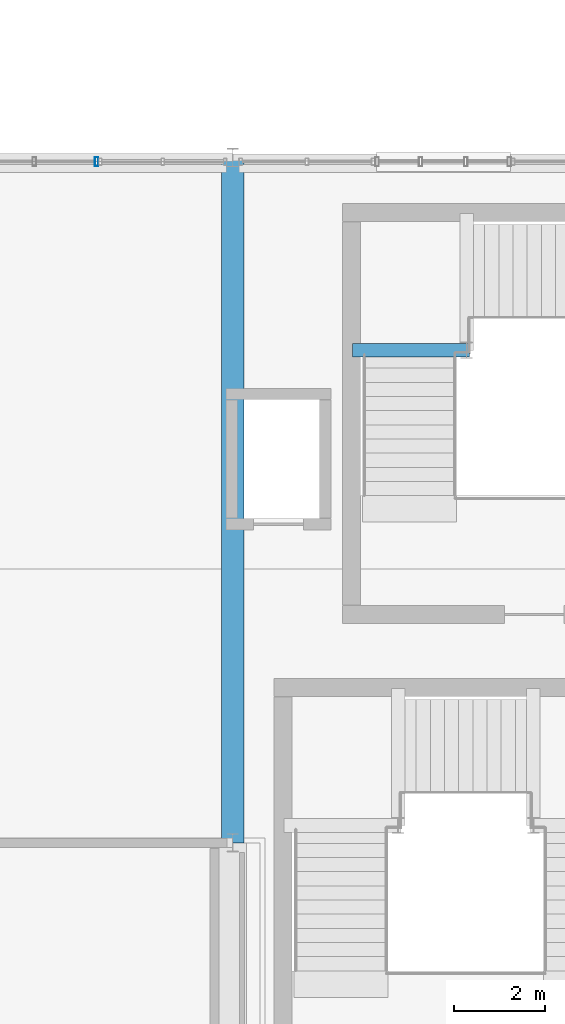
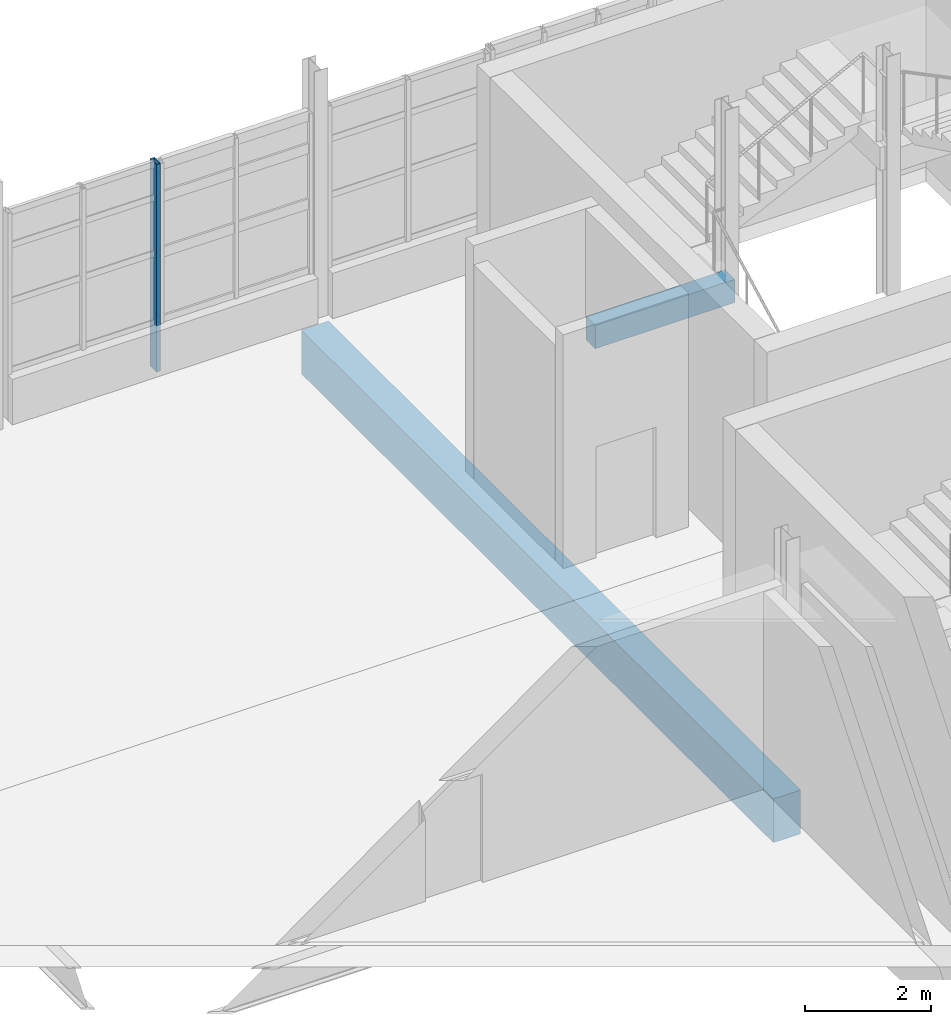
# One storey, part 76 of 127: 2 beams, 1 member, 1 element without a shape of its own.
"""IFC4 building model written with IfcOpenShell, lengths in metres."""

import ifcopenshell
import ifcopenshell.guid

model = None  # the IFC model being written
_history = None  # IfcOwnerHistory: only IFC2X3 demands one
_inside = {}  # id of a spatial element -> (the spatial element, [elements in it])
_under = {}  # id of a project, library or spatial element -> (it, [spatial elements below it])
_declared = {}  # id of a project -> (the project, [libraries it declares])
_typed = {}  # id of a type object -> (the type object, [elements of that type])
_made_of = {}  # id of a material, layer set ... -> (it, [elements and type objects made of it])


def new_model(schema):
    """Start an empty IFC model of exactly this schema.

    Asked for "IFC4X3", IfcOpenShell would pick the latest addendum, in which some entities
    have other attributes; the version numbers below select the first issue.
    IFC2X3 requires an IfcOwnerHistory on every rooted entity: one is made here for all.
    """
    global model, _history
    if schema == "IFC4X3":
        model = ifcopenshell.file(schema_version=(4, 3, 0, 0))
    else:
        model = ifcopenshell.file(schema=schema)
    _inside.clear()
    _under.clear()
    _declared.clear()
    _typed.clear()
    _made_of.clear()
    _history = None
    if model.schema == "IFC2X3":
        org = make("IfcOrganization", Name="unknown")
        user = make(
            "IfcPersonAndOrganization",
            ThePerson=make("IfcPerson", FamilyName="unknown"),
            TheOrganization=org,
        )
        app = make(
            "IfcApplication",
            ApplicationDeveloper=org,
            Version="unknown",
            ApplicationFullName="unknown",
            ApplicationIdentifier="unknown",
        )
        _history = make(
            "IfcOwnerHistory",
            OwningUser=user,
            OwningApplication=app,
            ChangeAction="ADDED",
            CreationDate=0,
        )
    return model


def make(cls, **values):
    """One entity of the class cls with the attributes given. An attribute that is None is left unset."""
    return model.create_entity(
        cls, **{name: value for name, value in values.items() if value is not None}
    )


def rooted(cls, **values):
    """An entity with a GlobalId (a new one), such as an element, a storey or a relation."""
    return make(cls, GlobalId=ifcopenshell.guid.new(), OwnerHistory=_history, **values)


def si_unit(unit_type, name, prefix=None):
    """IfcSIUnit, for example si_unit("LENGTHUNIT", "METRE", prefix="MILLI")."""
    return make("IfcSIUnit", UnitType=unit_type, Prefix=prefix, Name=name)


def derived_unit(unit_type, elements):
    """IfcDerivedUnit: a product of units, each with its exponent."""
    return make(
        "IfcDerivedUnit",
        Elements=[
            make("IfcDerivedUnitElement", Unit=unit, Exponent=power)
            for unit, power in elements
        ],
        UnitType=unit_type,
    )


def assignment(units):
    """IfcUnitAssignment: the units of a project."""
    return None if units is None else make("IfcUnitAssignment", Units=units)


def point(xyz):
    """IfcCartesianPoint."""
    return None if xyz is None else make("IfcCartesianPoint", Coordinates=xyz)


def direction(xyz):
    """IfcDirection."""
    return None if xyz is None else make("IfcDirection", DirectionRatios=xyz)


def frame(location, z_axis=None, x_axis=None):
    """IfcAxis2Placement3D, a coordinate frame: its origin and axes. An axis left out is left unset."""
    return make(
        "IfcAxis2Placement3D",
        Location=point(location),
        Axis=direction(z_axis),
        RefDirection=direction(x_axis),
    )


def frame_2d(location, x_axis=None):
    """IfcAxis2Placement2D, a coordinate frame in the plane: its origin and x axis."""
    return make(
        "IfcAxis2Placement2D", Location=point(location), RefDirection=direction(x_axis)
    )


def origin():
    """The frame at (0, 0, 0) with its axes left unset."""
    return frame((0.0, 0.0, 0.0))


def origin_2d():
    """The frame at (0, 0) in the plane with its x axis left unset."""
    return frame_2d((0.0, 0.0))


def place(relative_to, where):
    """IfcLocalPlacement: puts the frame where relative to a parent placement (None: the world)."""
    return make(
        "IfcLocalPlacement", PlacementRelTo=relative_to, RelativePlacement=where
    )


def context(
    kind, dimensions, precision=None, world=None, true_north=None, identifier=None
):
    """IfcGeometricRepresentationContext, for example the 3D "Model" context."""
    return make(
        "IfcGeometricRepresentationContext",
        ContextIdentifier=identifier,
        ContextType=kind,
        CoordinateSpaceDimension=dimensions,
        Precision=precision,
        WorldCoordinateSystem=world,
        TrueNorth=true_north,
    )


def subcontext(parent, identifier, kind, view, scale=None):
    """IfcGeometricRepresentationSubContext, for example "Body" below "Model"."""
    return make(
        "IfcGeometricRepresentationSubContext",
        ContextIdentifier=identifier,
        ContextType=kind,
        ParentContext=parent,
        TargetScale=scale,
        TargetView=view,
    )


def project(units=None, contexts=None):
    """IfcProject with its units and contexts."""
    return rooted(
        "IfcProject",
        Name="project",
        RepresentationContexts=contexts,
        UnitsInContext=assignment(units),
    )


def spatial(cls, under=None, at=None, **own):
    """A site, building, storey or space (cls), placed at a placement, below another one or the project."""
    s = rooted(cls, ObjectPlacement=at, **own)
    if under is not None:
        _under.setdefault(under.id(), (under, []))[1].append(s)
    return s


def profile(cls, at=None, kind="AREA", **sizes):
    """A parametric profile (cls). Its sizes go by their IFC names, for example OverallWidth=200.0."""
    return make(cls, ProfileType=kind, Position=at, **sizes)


def rectangle(**sizes):
    """IfcRectangleProfileDef."""
    return profile("IfcRectangleProfileDef", **sizes)


def hollow_rectangle(**sizes):
    """IfcRectangleHollowProfileDef."""
    return profile("IfcRectangleHollowProfileDef", **sizes)


def extrude(swept, where, along, depth):
    """IfcExtrudedAreaSolid: the profile swept, set in the frame where, extruded along a direction by depth."""
    return make(
        "IfcExtrudedAreaSolid",
        SweptArea=swept,
        Position=where,
        ExtrudedDirection=direction(along),
        Depth=depth,
    )


def shape(context_of_items, identifier, shape_type, items):
    """IfcShapeRepresentation: the items that make up one representation, for example the "Body"."""
    return make(
        "IfcShapeRepresentation",
        ContextOfItems=context_of_items,
        RepresentationIdentifier=identifier,
        RepresentationType=shape_type,
        Items=items,
    )


def material(Name=None, Category=None):
    """IfcMaterial."""
    return make("IfcMaterial", Name=Name, Category=Category)


def layer(
    of_material, thickness, ventilated=None, Name=None, Category=None, Priority=None
):
    """IfcMaterialLayer: one layer of a wall or slab, of a material (None: an air gap)."""
    return make(
        "IfcMaterialLayer",
        Material=of_material,
        LayerThickness=thickness,
        IsVentilated=ventilated,
        Name=Name,
        Category=Category,
        Priority=Priority,
    )


def layer_set(layers, Name=None):
    """IfcMaterialLayerSet."""
    return make("IfcMaterialLayerSet", MaterialLayers=layers, LayerSetName=Name)


def material_profile(
    of_material, cross_section, Name=None, Category=None, Priority=None
):
    """IfcMaterialProfile: a cross section and its material."""
    return make(
        "IfcMaterialProfile",
        Name=Name,
        Material=of_material,
        Profile=cross_section,
        Priority=Priority,
        Category=Category,
    )


def profile_set(profiles, Name=None, composite=None):
    """IfcMaterialProfileSet."""
    return make(
        "IfcMaterialProfileSet",
        Name=Name,
        MaterialProfiles=profiles,
        CompositeProfile=composite,
    )


def made_of(thing, what):
    """Note that an element or type object is made of a material, layer set ...; save() writes the relation."""
    if what is not None:
        _made_of.setdefault(what.id(), (what, []))[1].append(thing)
    return thing


def type_object(cls, material=None, **own):
    """A type object (cls), such as IfcWallType, which elements share."""
    return made_of(rooted(cls, **own), material)


def element(
    cls,
    number,
    at=None,
    inside=None,
    cuts=None,
    type_object=None,
    material=None,
    context=None,
    identifier="Body",
    shape_type=None,
    held_by="IfcProductDefinitionShape",
    body=None,
    shapes=None,
    **own,
):
    """One element of the class cls, such as IfcWall. Its Tag is "e" and its number.

    at: its placement. inside: the storey or other place that contains it. cuts: it is an
    opening in that element (IfcRelVoidsElement). A single representation is given by context,
    identifier, shape_type and body (its items); several are given by shapes. held_by: the class
    of the entity that holds the representations. save() writes the other relations.
    """
    e = rooted(cls, Tag="e%d" % number, ObjectPlacement=at, **own)
    if body is not None:
        shapes = [shape(context, identifier, shape_type, body)]
    if shapes is not None:
        e.Representation = make(held_by, Representations=shapes)
    if inside is not None:
        _inside.setdefault(inside.id(), (inside, []))[1].append(e)
    if cuts is not None:
        rooted(
            "IfcRelVoidsElement", RelatingBuildingElement=cuts, RelatedOpeningElement=e
        )
    if type_object is not None:
        _typed.setdefault(type_object.id(), (type_object, []))[1].append(e)
    return made_of(e, material)


def aggregate(whole, parts):
    """IfcRelAggregates: a whole, such as a stair, and the parts it consists of."""
    return rooted("IfcRelAggregates", RelatingObject=whole, RelatedObjects=parts)


def save(model, path):
    """Write the relations noted so far, then the file.

    IfcRelAggregates (storeys below a building ...), IfcRelContainedInSpatialStructure (elements
    in a storey), IfcRelDefinesByType, IfcRelAssociatesMaterial and IfcRelDeclares: one each for
    every whole, place, type object, material and project.
    """
    for whole, parts in _under.values():
        aggregate(whole, parts)
    for where, things in _inside.values():
        rooted(
            "IfcRelContainedInSpatialStructure",
            RelatedElements=things,
            RelatingStructure=where,
        )
    for kind, things in _typed.values():
        rooted("IfcRelDefinesByType", RelatedObjects=things, RelatingType=kind)
    for what, things in _made_of.values():
        rooted("IfcRelAssociatesMaterial", RelatedObjects=things, RelatingMaterial=what)
    for by, libraries in _declared.values():
        rooted("IfcRelDeclares", RelatingContext=by, RelatedDefinitions=libraries)
    model.write(path)


model = new_model("IFC4")

# Units and contexts
model_context = context("Model", 3, precision=1e-05, world=origin(), true_north=direction((0.0, 1.0)))
body_context = subcontext(model_context, "Body", "Model", "MODEL_VIEW")
ifc_project = project(units=[si_unit("LENGTHUNIT", "METRE"), si_unit("AREAUNIT", "SQUARE_METRE"), si_unit("VOLUMEUNIT", "CUBIC_METRE"), si_unit("PLANEANGLEUNIT", "RADIAN"), si_unit("MASSUNIT", "GRAM", prefix="KILO"), derived_unit("THERMALTRANSMITTANCEUNIT", [(si_unit("POWERUNIT", "WATT"), 1), (si_unit("LENGTHUNIT", "METRE"), -2), (si_unit("THERMODYNAMICTEMPERATUREUNIT", "KELVIN"), -1)])], contexts=[model_context])

# Site, building, storey
site_placement = place(None, origin())
site = spatial("IfcSite", under=ifc_project, at=site_placement, CompositionType="ELEMENT")
building_placement = place(site_placement, origin())
building = spatial("IfcBuilding", under=site, at=building_placement, Name="Nallur Shell Playhouse", CompositionType="ELEMENT")
storey_placement = place(building_placement, frame((0.0, 0.0, 5.39990234375)))
storey = spatial("IfcBuildingStorey", under=building, at=storey_placement, Name="L02", CompositionType="ELEMENT", Elevation=5.39990234375)

# Beams
ifc_material_1 = material(Name="Concrete M40", Category="concrete")
ifc_material_profile_1 = material_profile(ifc_material_1, rectangle(XDim=0.5, YDim=0.85009765625, at=origin_2d()), Name="RC 500x850")
ifc_profile_set_1 = profile_set([ifc_material_profile_1], Name="Concrete M40")
beam_type_1 = type_object("IfcBeamType", Name="BM-RC-500x850", PredefinedType="BEAM", material=ifc_profile_set_1)
beam_1_placement = place(storey_placement, frame((147.60009765625, 41.0, -0.704833984375), z_axis=(0.0, 1.0, 0.0), x_axis=(-1.0, 0.0, 0.0)))
element("IfcBeam", 1, at=beam_1_placement, inside=storey, type_object=beam_type_1, Name="L02 girder Y-18-461", PredefinedType="BEAM", context=body_context, shape_type="SweptSolid", body=[
    extrude(rectangle(XDim=0.5, YDim=0.85009765625, at=origin_2d()), origin(), (0.0, 0.0, 1.0), 15.0),
])
ifc_material_2 = material(Name="Concrete M35", Category="concrete")
ifc_material_profile_2 = material_profile(ifc_material_2, rectangle(XDim=0.300048828125, YDim=0.449951171875, at=origin_2d()), Name="RC 300x450")
ifc_profile_set_2 = profile_set([ifc_material_profile_2], Name="Concrete M35")
beam_type_2 = type_object("IfcBeamType", Name="BM-SPN-300x450", PredefinedType="SPANDREL", material=ifc_profile_set_2)
beam_2_placement = place(storey_placement, frame((150.219970703125, 51.780029296875, 1.22509765625), z_axis=(1.0, 0.0, 0.0), x_axis=(0.0, 1.0, 0.0)))
element("IfcBeam", 2, at=beam_2_placement, inside=storey, type_object=beam_type_2, Name="Stair ST-05-L02 L1 south bearer beam", PredefinedType="SPANDREL", context=body_context, shape_type="SweptSolid", body=[
    extrude(rectangle(XDim=0.300048828125, YDim=0.449951171875, at=origin_2d()), origin(), (0.0, 0.0, 1.0), 2.56005859375),
])

# Curtain wall, member
ifc_material_3 = material(Name="Anodised Aluminium Double-Glazed Facade System", Category="aluminium")
ifc_layer = layer(ifc_material_3, 0.1640625)
ifc_layer_set = layer_set([ifc_layer], Name="Anodised Aluminium Double-Glazed Facade System")
curtain_wall_type = type_object("IfcCurtainWallType", Name="CW-UNIT-01", PredefinedType="NOTDEFINED", material=ifc_layer_set)
curtain_wall_placement = place(storey_placement, origin())
curtain_wall = element("IfcCurtainWall", 3, at=curtain_wall_placement, inside=storey, type_object=curtain_wall_type, Name="Unitised curtain wall CW-033 (L02)", PredefinedType="NOTDEFINED")
ifc_material_4 = material(Name="Aluminium Alloy 6063-T6 Mullion", Category="aluminium")
ifc_material_profile_3 = material_profile(ifc_material_4, hollow_rectangle(XDim=0.074951171875, YDim=0.199951171875, WallThickness=0.0048828125, at=origin_2d()), Name="ALU 75x200x5")
ifc_profile_set_3 = profile_set([ifc_material_profile_3], Name="Aluminium Alloy 6063-T6 Mullion")
member_type = type_object("IfcMemberType", Name="MB-CW-MUL180", PredefinedType="MULLION", material=ifc_profile_set_3)
member_placement = place(storey_placement, frame((144.6201171875, 55.909912109375, -0.014892578125), z_axis=(0.0, 0.0, 1.0), x_axis=(1.0, 0.0, 0.0)))
member = element("IfcMember", 4, at=member_placement, type_object=member_type, Name="CW-01 mullion 3", PredefinedType="MULLION", context=body_context, shape_type="SweptSolid", body=[
    extrude(hollow_rectangle(XDim=0.074951171875, YDim=0.199951171875, WallThickness=0.0048828125, at=origin_2d()), origin(), (0.0, 0.0, 1.0), 4.02392578125),
])
aggregate(curtain_wall, [member])

save(model, "model.ifc")
